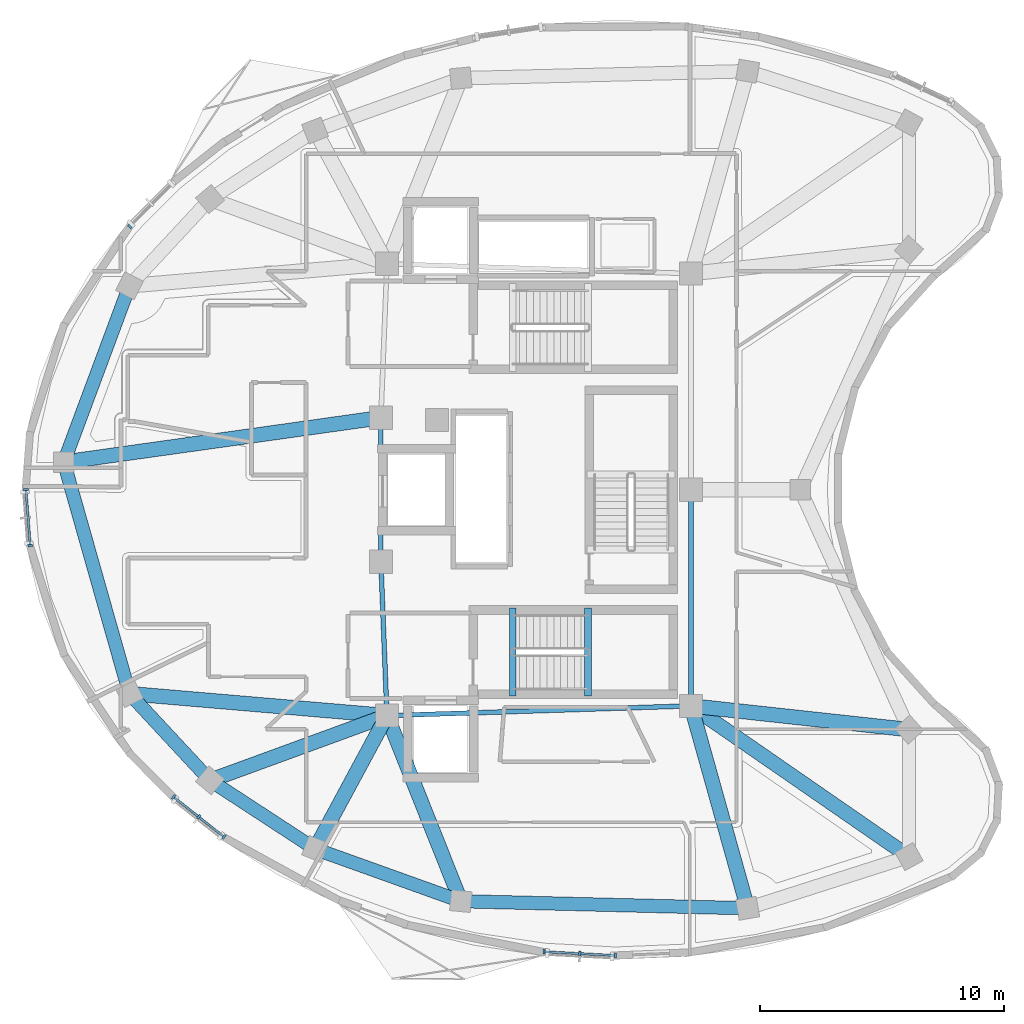
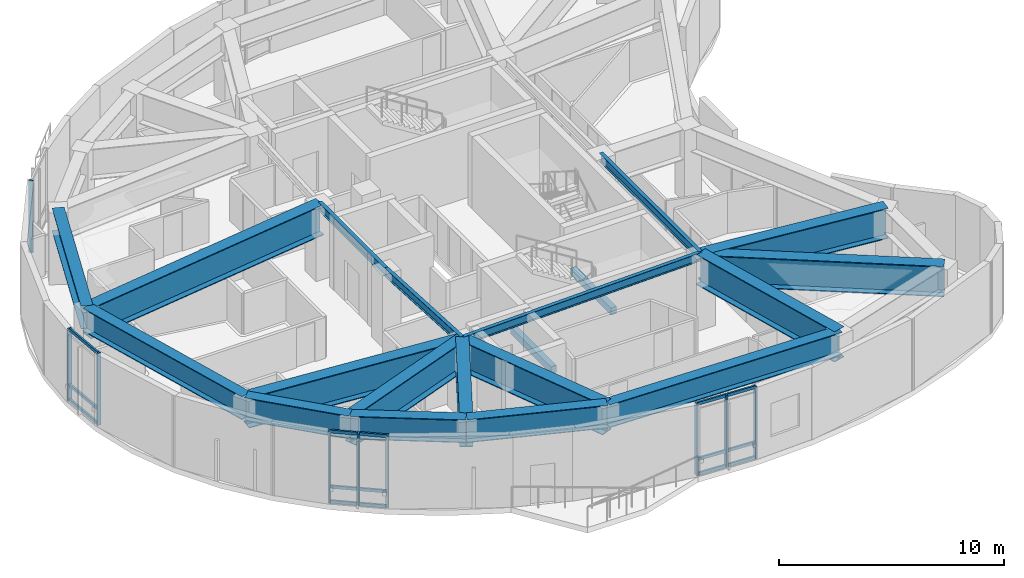
# One storey, part 2 of 12: 24 members, 20 beams, 4 elements without a shape of their own.
"""IFC4 building model written with IfcOpenShell, lengths in metres."""

from ifc_helpers import new_model, si_unit, direction, frame, origin, origin_2d, place, context, subcontext, project, spatial, rectangle, i_section, extrude, material, layer, layer_set, material_profile, profile_set, type_object, element, aggregate, save


model = new_model("IFC4")

# Units and contexts
model_context = context("Model", 3, precision=1e-05, world=origin(), true_north=direction((0.0, 1.0)))
body_context = subcontext(model_context, "Body", "Model", "MODEL_VIEW")
ifc_project = project(units=[si_unit("LENGTHUNIT", "METRE"), si_unit("AREAUNIT", "SQUARE_METRE"), si_unit("VOLUMEUNIT", "CUBIC_METRE"), si_unit("PLANEANGLEUNIT", "RADIAN"), si_unit("MASSUNIT", "GRAM", prefix="KILO")], contexts=[model_context])

# Site, building, storey
site_placement = place(None, origin())
site = spatial("IfcSite", under=ifc_project, at=site_placement, CompositionType="ELEMENT")
building_placement = place(site_placement, origin())
building = spatial("IfcBuilding", under=site, at=building_placement, Name="Korentha Bioscience Tower", CompositionType="ELEMENT")
storey_placement = place(building_placement, frame((0.0, 0.0, 297.60009765625)))
storey = spatial("IfcBuildingStorey", under=building, at=storey_placement, Name="L68", CompositionType="ELEMENT", Elevation=297.60009765625)

# Beams
ifc_material_1 = material(Name="Concrete C50", Category="concrete")
ifc_material_profile_1 = material_profile(ifc_material_1, rectangle(XDim=0.280029296875, YDim=0.3798828125, at=origin_2d()), Name="Concrete C50")
ifc_profile_set_1 = profile_set([ifc_material_profile_1], Name="Concrete C50 (ST-HB380)")
beam_type_1 = type_object("IfcBeamType", Name="Concrete Stair Header Beam RC 280x380", PredefinedType="BEAM", material=ifc_profile_set_1)
for number, where, z_axis, x_axis, name in (
    (1, (30.25, 18.550048828125, -0.190185546875), (0.0, 1.0, 0.0), (-1.0, 0.0, 0.0), "L68 ST-2 Concrete Stair Header Beam"),
    (2, (33.330078125, 18.550048828125, 1.909912109375), (0.0, 1.0, 0.0), (-1.0, 0.0, 0.0), "L68 ST-2 Half-Landing Header Beam 1"),
):
    element("IfcBeam", number, at=place(storey_placement, frame(where, z_axis=z_axis, x_axis=x_axis)), inside=storey, type_object=beam_type_1, Name=name, PredefinedType="BEAM", context=body_context, shape_type="SweptSolid", body=[
        extrude(rectangle(XDim=0.280029296875, YDim=0.3798828125, at=origin_2d()), origin(), (0.0, 0.0, 1.0), 3.599853515625),
    ])
ifc_material_2 = material(Name="Steel S355", Category="steel")
ifc_material_profile_2 = material_profile(ifc_material_2, i_section(OverallWidth=0.550048828125, OverallDepth=1.25, WebThickness=0.02392578125, FlangeThickness=0.0400390625, at=origin_2d()), Name="Steel S355")
ifc_profile_set_2 = profile_set([ifc_material_profile_2], Name="Steel S355 (TG-03)")
beam_type_2 = type_object("IfcBeamType", Name="Crown Step Transfer Girder CVS 1250x510", PredefinedType="USERDEFINED", material=ifc_profile_set_2)
beam_1_placement = place(storey_placement, frame((14.556884765625, 35.35107421875, 3.27490234375), z_axis=(-0.348764777576, -0.937210291195, 0.0), x_axis=(0.937210291195, -0.348764777576, 0.0)))
element("IfcBeam", 3, at=beam_1_placement, inside=storey, type_object=beam_type_2, Name="L68 Perimeter Spandrel Girder 06", ObjectType="TRANSFER_GIRDER", PredefinedType="USERDEFINED", context=body_context, shape_type="SweptSolid", body=[
    extrude(i_section(OverallWidth=0.550048828125, OverallDepth=1.25, WebThickness=0.02392578125, FlangeThickness=0.0400390625, at=origin_2d()), origin(), (0.0, 0.0, 1.0), 7.705810546875),
])
beam_2_placement = place(storey_placement, frame((11.869384765625, 28.129150390625, 3.27490234375), z_axis=(0.272737504726, -0.962088485284, 0.0), x_axis=(0.962088485284, 0.272737504726, 0.0)))
element("IfcBeam", 4, at=beam_2_placement, inside=storey, type_object=beam_type_2, Name="L68 Perimeter Spandrel Girder 07", ObjectType="TRANSFER_GIRDER", PredefinedType="USERDEFINED", context=body_context, shape_type="SweptSolid", body=[
    extrude(i_section(OverallWidth=0.550048828125, OverallDepth=1.25, WebThickness=0.02392578125, FlangeThickness=0.0400390625, at=origin_2d()), origin(), (0.0, 0.0, 1.0), 9.853759765625),
])
beam_3_placement = place(storey_placement, frame((14.556884765625, 18.64892578125, 3.27490234375), z_axis=(0.680655927259, -0.732603240976, 0.0), x_axis=(0.732603240976, 0.680655927259, 0.0)))
element("IfcBeam", 5, at=beam_3_placement, inside=storey, type_object=beam_type_2, Name="L68 Perimeter Spandrel Girder 08", ObjectType="TRANSFER_GIRDER", PredefinedType="USERDEFINED", context=body_context, shape_type="SweptSolid", body=[
    extrude(i_section(OverallWidth=0.550048828125, OverallDepth=1.25, WebThickness=0.02392578125, FlangeThickness=0.0400390625, at=origin_2d()), origin(), (0.0, 0.0, 1.0), 4.845458984375),
])
beam_4_placement = place(storey_placement, frame((17.85498046875, 15.09912109375, 3.27490234375), z_axis=(0.837370389089, -0.546635922234, 0.0), x_axis=(0.546635922234, 0.837370389089, 0.0)))
element("IfcBeam", 6, at=beam_4_placement, inside=storey, type_object=beam_type_2, Name="L68 Perimeter Spandrel Girder 09", ObjectType="TRANSFER_GIRDER", PredefinedType="USERDEFINED", context=body_context, shape_type="SweptSolid", body=[
    extrude(i_section(OverallWidth=0.550048828125, OverallDepth=1.25, WebThickness=0.02392578125, FlangeThickness=0.0400390625, at=origin_2d()), origin(), (0.0, 0.0, 1.0), 5.137451171875),
])
beam_5_placement = place(storey_placement, frame((22.156982421875, 12.290771484375, 3.27490234375), z_axis=(0.941344019681, -0.337448420668, 0.0), x_axis=(0.337448420668, 0.941344019681, 0.0)))
element("IfcBeam", 7, at=beam_5_placement, inside=storey, type_object=beam_type_2, Name="L68 Perimeter Spandrel Girder 10", ObjectType="TRANSFER_GIRDER", PredefinedType="USERDEFINED", context=body_context, shape_type="SweptSolid", body=[
    extrude(i_section(OverallWidth=0.550048828125, OverallDepth=1.25, WebThickness=0.02392578125, FlangeThickness=0.0400390625, at=origin_2d()), origin(), (0.0, 0.0, 1.0), 6.340576171875),
])
beam_6_placement = place(storey_placement, frame((28.125732421875, 10.151123046875, 3.27490234375), z_axis=(0.999696680128, -0.024628189974, 0.0), x_axis=(0.024628189974, 0.999696680128, 0.0)))
element("IfcBeam", 8, at=beam_6_placement, inside=storey, type_object=beam_type_2, Name="L68 Perimeter Spandrel Girder 11", ObjectType="TRANSFER_GIRDER", PredefinedType="USERDEFINED", context=body_context, shape_type="SweptSolid", body=[
    extrude(i_section(OverallWidth=0.550048828125, OverallDepth=1.25, WebThickness=0.02392578125, FlangeThickness=0.0400390625, at=origin_2d()), origin(), (0.0, 0.0, 1.0), 11.7470703125),
])
ifc_material_profile_3 = material_profile(ifc_material_2, i_section(OverallWidth=0.60009765625, OverallDepth=1.64990234375, WebThickness=0.02587890625, FlangeThickness=0.0439453125, at=origin_2d()), Name="Steel S355")
ifc_profile_set_3 = profile_set([ifc_material_profile_3], Name="Steel S355 (TG-04)")
beam_type_3 = type_object("IfcBeamType", Name="Deep Setback Transfer Girder CVS 1650x620", PredefinedType="USERDEFINED", material=ifc_profile_set_3)
beam_7_placement = place(storey_placement, frame((24.85009765625, 29.949951171875, 3.074951171875), z_axis=(-0.990305038065, -0.138909796571, 0.0), x_axis=(0.138909796571, -0.990305038065, 0.0)))
element("IfcBeam", 9, at=beam_7_placement, inside=storey, type_object=beam_type_3, Name="L68 Radial Transfer Girder 07", ObjectType="TRANSFER_GIRDER", PredefinedType="USERDEFINED", context=body_context, shape_type="SweptSolid", body=[
    extrude(i_section(OverallWidth=0.60009765625, OverallDepth=1.64990234375, WebThickness=0.02587890625, FlangeThickness=0.0439453125, at=origin_2d()), origin(), (0.0, 0.0, 1.0), 13.10791015625),
])
beam_8_placement = place(storey_placement, frame((25.10009765625, 17.75, 3.074951171875), z_axis=(-0.996384971169, 0.084952864741, 0.0), x_axis=(-0.084952864741, -0.996384971169, 0.0)))
element("IfcBeam", 10, at=beam_8_placement, inside=storey, type_object=beam_type_3, Name="L68 Radial Transfer Girder 08", ObjectType="TRANSFER_GIRDER", PredefinedType="USERDEFINED", context=body_context, shape_type="SweptSolid", body=[
    extrude(i_section(OverallWidth=0.60009765625, OverallDepth=1.64990234375, WebThickness=0.02587890625, FlangeThickness=0.0439453125, at=origin_2d()), origin(), (0.0, 0.0, 1.0), 10.58154296875),
])
beam_9_placement = place(storey_placement, frame((25.10009765625, 17.75, 3.074951171875), z_axis=(-0.939113387984, -0.343607398798, 0.0), x_axis=(0.343607398798, -0.939113387984, 0.0)))
element("IfcBeam", 11, at=beam_9_placement, inside=storey, type_object=beam_type_3, Name="L68 Radial Transfer Girder 09", ObjectType="TRANSFER_GIRDER", PredefinedType="USERDEFINED", context=body_context, shape_type="SweptSolid", body=[
    extrude(i_section(OverallWidth=0.60009765625, OverallDepth=1.64990234375, WebThickness=0.02587890625, FlangeThickness=0.0439453125, at=origin_2d()), origin(), (0.0, 0.0, 1.0), 7.71484375),
])
beam_10_placement = place(storey_placement, frame((25.10009765625, 17.75, 3.074951171875), z_axis=(-0.474541081143, -0.880233356734, 0.0), x_axis=(0.880233356734, -0.474541081143, 0.0)))
element("IfcBeam", 12, at=beam_10_placement, inside=storey, type_object=beam_type_3, Name="L68 Radial Transfer Girder 10", ObjectType="TRANSFER_GIRDER", PredefinedType="USERDEFINED", context=body_context, shape_type="SweptSolid", body=[
    extrude(i_section(OverallWidth=0.60009765625, OverallDepth=1.64990234375, WebThickness=0.02587890625, FlangeThickness=0.0439453125, at=origin_2d()), origin(), (0.0, 0.0, 1.0), 6.201904296875),
])
beam_11_placement = place(storey_placement, frame((25.10009765625, 17.75, 3.074951171875), z_axis=(0.369923475736, -0.929062227248, 0.0), x_axis=(0.929062227248, 0.369923475736, 0.0)))
element("IfcBeam", 13, at=beam_11_placement, inside=storey, type_object=beam_type_3, Name="L68 Radial Transfer Girder 11", ObjectType="TRANSFER_GIRDER", PredefinedType="USERDEFINED", context=body_context, shape_type="SweptSolid", body=[
    extrude(i_section(OverallWidth=0.60009765625, OverallDepth=1.64990234375, WebThickness=0.02587890625, FlangeThickness=0.0439453125, at=origin_2d()), origin(), (0.0, 0.0, 1.0), 8.17919921875),
])
beam_12_placement = place(storey_placement, frame((37.550048828125, 18.14990234375, 3.074951171875), z_axis=(0.269460517512, -0.963011437888, 0.0), x_axis=(0.963011437888, 0.269460517512, 0.0)))
element("IfcBeam", 14, at=beam_12_placement, inside=storey, type_object=beam_type_3, Name="L68 Radial Transfer Girder 12", ObjectType="TRANSFER_GIRDER", PredefinedType="USERDEFINED", context=body_context, shape_type="SweptSolid", body=[
    extrude(i_section(OverallWidth=0.60009765625, OverallDepth=1.64990234375, WebThickness=0.02587890625, FlangeThickness=0.0439453125, at=origin_2d()), origin(), (0.0, 0.0, 1.0), 8.6064453125),
])
beam_13_placement = place(storey_placement, frame((37.550048828125, 18.14990234375, 3.074951171875), z_axis=(0.822499007629, -0.56876654477, 0.0), x_axis=(0.56876654477, 0.822499007629, 0.0)))
element("IfcBeam", 15, at=beam_13_placement, inside=storey, type_object=beam_type_3, Name="L68 Radial Transfer Girder 13", ObjectType="TRANSFER_GIRDER", PredefinedType="USERDEFINED", context=body_context, shape_type="SweptSolid", body=[
    extrude(i_section(OverallWidth=0.60009765625, OverallDepth=1.64990234375, WebThickness=0.02587890625, FlangeThickness=0.0439453125, at=origin_2d()), origin(), (0.0, 0.0, 1.0), 10.8525390625),
])
beam_14_placement = place(storey_placement, frame((37.550048828125, 18.14990234375, 3.074951171875), z_axis=(0.994116294337, -0.108318019432, 0.0), x_axis=(0.108318019432, 0.994116294337, 0.0)))
element("IfcBeam", 16, at=beam_14_placement, inside=storey, type_object=beam_type_3, Name="L68 Radial Transfer Girder 14", ObjectType="TRANSFER_GIRDER", PredefinedType="USERDEFINED", context=body_context, shape_type="SweptSolid", body=[
    extrude(i_section(OverallWidth=0.60009765625, OverallDepth=1.64990234375, WebThickness=0.02587890625, FlangeThickness=0.0439453125, at=origin_2d()), origin(), (0.0, 0.0, 1.0), 8.977294921875),
])
ifc_material_profile_4 = material_profile(ifc_material_2, i_section(OverallWidth=0.18994140625, OverallDepth=0.45703125, WebThickness=0.009033203125, FlangeThickness=0.014404296875, at=origin_2d()), Name="Steel S355")
ifc_profile_set_4 = profile_set([ifc_material_profile_4], Name="Steel S355 (MB-460)")
beam_type_4 = type_object("IfcBeamType", Name="Mid-Ring Tie Girder W460x74", PredefinedType="BEAM", material=ifc_profile_set_4)
beam_15_placement = place(storey_placement, frame((24.85009765625, 29.949951171875, 3.67138671875), z_axis=(0.0, -1.0, 0.0), x_axis=(1.0, 0.0, 0.0)))
element("IfcBeam", 17, at=beam_15_placement, inside=storey, type_object=beam_type_4, Name="L68 Core Ring Tie Girder 03", PredefinedType="BEAM", context=body_context, shape_type="SweptSolid", body=[
    extrude(i_section(OverallWidth=0.18994140625, OverallDepth=0.45703125, WebThickness=0.009033203125, FlangeThickness=0.014404296875, at=origin_2d()), origin(), (0.0, 0.0, 1.0), 5.89990234375),
])
beam_16_placement = place(storey_placement, frame((24.85009765625, 24.050048828125, 3.67138671875), z_axis=(0.039651025576, -0.999213588864, 0.0), x_axis=(0.999213588864, 0.039651025576, 0.0)))
element("IfcBeam", 18, at=beam_16_placement, inside=storey, type_object=beam_type_4, Name="L68 Core Ring Tie Girder 04", PredefinedType="BEAM", context=body_context, shape_type="SweptSolid", body=[
    extrude(i_section(OverallWidth=0.18994140625, OverallDepth=0.45703125, WebThickness=0.009033203125, FlangeThickness=0.014404296875, at=origin_2d()), origin(), (0.0, 0.0, 1.0), 6.304931640625),
])
beam_17_placement = place(storey_placement, frame((25.10009765625, 17.75, 3.67138671875), z_axis=(0.999484526071, 0.032104238723, 0.0), x_axis=(-0.032104238723, 0.999484526071, 0.0)))
element("IfcBeam", 19, at=beam_17_placement, inside=storey, type_object=beam_type_4, Name="L68 Core Ring Tie Girder 05", PredefinedType="BEAM", context=body_context, shape_type="SweptSolid", body=[
    extrude(i_section(OverallWidth=0.18994140625, OverallDepth=0.45703125, WebThickness=0.009033203125, FlangeThickness=0.014404296875, at=origin_2d()), origin(), (0.0, 0.0, 1.0), 12.456298828125),
])
beam_18_placement = place(storey_placement, frame((37.550048828125, 18.14990234375, 3.67138671875), z_axis=(0.0, 1.0, 0.0), x_axis=(-1.0, 0.0, 0.0)))
element("IfcBeam", 20, at=beam_18_placement, inside=storey, type_object=beam_type_4, Name="L68 Core Ring Tie Girder 06", PredefinedType="BEAM", context=body_context, shape_type="SweptSolid", body=[
    extrude(i_section(OverallWidth=0.18994140625, OverallDepth=0.45703125, WebThickness=0.009033203125, FlangeThickness=0.014404296875, at=origin_2d()), origin(), (0.0, 0.0, 1.0), 8.85009765625),
])

# Curtain wall, member
ifc_material_3 = material(Name="Thermally Broken Aluminium Frame", Category="aluminium")
ifc_layer = layer(ifc_material_3, 0.219970703125, Name="Thermally Broken Aluminium Frame")
ifc_layer_set = layer_set([ifc_layer], Name="Thermally Broken Aluminium Frame (CW-T2)")
curtain_wall_type = type_object("IfcCurtainWallType", Name="Solar-Screened Lab Unitised Curtain Wall CW-T2", PredefinedType="USERDEFINED", material=ifc_layer_set)
curtain_wall_1_placement = place(storey_placement, origin())
curtain_wall_1 = element("IfcCurtainWall", 21, at=curtain_wall_1_placement, inside=storey, type_object=curtain_wall_type, Name="L68 Curtain Wall 13", ObjectType="UNITISED", PredefinedType="USERDEFINED")
ifc_material_4 = material(Name="Anodised Aluminium 6063-T6", Category="aluminium")
ifc_material_profile_5 = material_profile(ifc_material_4, rectangle(XDim=0.090087890625, YDim=0.199951171875, at=origin_2d()), Name="Anodised Aluminium 6063-T6")
ifc_profile_set_5 = profile_set([ifc_material_profile_5], Name="Anodised Aluminium 6063-T6 (CW-MUL)")
member_type_1 = type_object("IfcMemberType", Name="Mullion RECT 90x200", PredefinedType="MULLION", material=ifc_profile_set_5)
member_1_placement = place(storey_placement, frame((14.568115234375, 37.77001953125, 0.0), z_axis=(0.0, 0.0, 1.0), x_axis=(-0.703813123431, -0.710385168262, 0.0)))
member_1 = element("IfcMember", 22, at=member_1_placement, type_object=member_type_1, Name="CW-L68-13 Mullion 2", PredefinedType="MULLION", context=body_context, shape_type="SweptSolid", body=[
    extrude(rectangle(XDim=0.090087890625, YDim=0.199951171875, at=origin_2d()), origin(), (0.0, 0.0, 1.0), 3.89990234375),
])
aggregate(curtain_wall_1, [member_1])

# Curtain wall, members
curtain_wall_2_placement = place(storey_placement, origin())
curtain_wall_2 = element("IfcCurtainWall", 23, at=curtain_wall_2_placement, inside=storey, type_object=curtain_wall_type, Name="L68 Curtain Wall 19", ObjectType="UNITISED", PredefinedType="USERDEFINED")
member_2_placement = place(storey_placement, frame((10.31787109375, 27.007080078125, 0.0), z_axis=(0.0, 0.0, 1.0), x_axis=(0.076447323916, -0.997073621487, 0.0)))
member_2 = element("IfcMember", 24, at=member_2_placement, type_object=member_type_1, Name="CW-L68-19 Mullion 1", PredefinedType="MULLION", context=body_context, shape_type="SweptSolid", body=[
    extrude(rectangle(XDim=0.090087890625, YDim=0.199951171875, at=origin_2d()), origin(), (0.0, 0.0, 1.0), 3.89990234375),
])
member_3_placement = place(storey_placement, frame((10.493896484375, 24.710205078125, 0.0), z_axis=(0.0, 0.0, 1.0), x_axis=(0.076447323916, -0.997073621487, 0.0)))
member_3 = element("IfcMember", 25, at=member_3_placement, type_object=member_type_1, Name="CW-L68-19 Mullion 2", PredefinedType="MULLION", context=body_context, shape_type="SweptSolid", body=[
    extrude(rectangle(XDim=0.090087890625, YDim=0.199951171875, at=origin_2d()), origin(), (0.0, 0.0, 1.0), 3.89990234375),
])

curtain_wall_3_placement = place(storey_placement, origin())
curtain_wall_3 = element("IfcCurtainWall", 26, at=curtain_wall_3_placement, inside=storey, type_object=curtain_wall_type, Name="L68 Curtain Wall 25", ObjectType="UNITISED", PredefinedType="USERDEFINED")
member_4_placement = place(storey_placement, frame((16.361083984375, 14.41943359375, 0.0), z_axis=(0.0, 0.0, 1.0), x_axis=(0.78407560827, -0.620665320858, 0.0)))
member_4 = element("IfcMember", 27, at=member_4_placement, type_object=member_type_1, Name="CW-L68-25 Mullion 1", PredefinedType="MULLION", context=body_context, shape_type="SweptSolid", body=[
    extrude(rectangle(XDim=0.090087890625, YDim=0.199951171875, at=origin_2d()), origin(), (0.0, 0.0, 1.0), 3.89990234375),
])
member_5_placement = place(storey_placement, frame((17.3935546875, 13.602294921875, 0.0), z_axis=(0.0, 0.0, 1.0), x_axis=(0.78407560827, -0.620665320858, 0.0)))
member_5 = element("IfcMember", 28, at=member_5_placement, type_object=member_type_1, Name="CW-L68-25 Mullion 2", PredefinedType="MULLION", context=body_context, shape_type="SweptSolid", body=[
    extrude(rectangle(XDim=0.090087890625, YDim=0.199951171875, at=origin_2d()), origin(), (0.0, 0.0, 1.0), 3.89990234375),
])
member_6_placement = place(storey_placement, frame((18.42578125, 12.784912109375, 0.0), z_axis=(0.0, 0.0, 1.0), x_axis=(0.78407560827, -0.620665320858, 0.0)))
member_6 = element("IfcMember", 29, at=member_6_placement, type_object=member_type_1, Name="CW-L68-25 Mullion 3", PredefinedType="MULLION", context=body_context, shape_type="SweptSolid", body=[
    extrude(rectangle(XDim=0.090087890625, YDim=0.199951171875, at=origin_2d()), origin(), (0.0, 0.0, 1.0), 3.89990234375),
])

curtain_wall_4_placement = place(storey_placement, origin())
curtain_wall_4 = element("IfcCurtainWall", 30, at=curtain_wall_4_placement, inside=storey, type_object=curtain_wall_type, Name="L68 Curtain Wall 31", ObjectType="UNITISED", PredefinedType="USERDEFINED")
member_7_placement = place(storey_placement, frame((31.531982421875, 8.082763671875, 0.0), z_axis=(0.0, 0.0, 1.0), x_axis=(0.998579324855, -0.053285382345, 0.0)))
member_7 = element("IfcMember", 31, at=member_7_placement, type_object=member_type_1, Name="CW-L68-31 Mullion 1", PredefinedType="MULLION", context=body_context, shape_type="SweptSolid", body=[
    extrude(rectangle(XDim=0.090087890625, YDim=0.199951171875, at=origin_2d()), origin(), (0.0, 0.0, 1.0), 3.89990234375),
])
member_8_placement = place(storey_placement, frame((32.994873046875, 8.004638671875, 0.0), z_axis=(0.0, 0.0, 1.0), x_axis=(0.998579324855, -0.053285382345, 0.0)))
member_8 = element("IfcMember", 32, at=member_8_placement, type_object=member_type_1, Name="CW-L68-31 Mullion 2", PredefinedType="MULLION", context=body_context, shape_type="SweptSolid", body=[
    extrude(rectangle(XDim=0.090087890625, YDim=0.199951171875, at=origin_2d()), origin(), (0.0, 0.0, 1.0), 3.89990234375),
])
member_9_placement = place(storey_placement, frame((34.45751953125, 7.9267578125, 0.0), z_axis=(0.0, 0.0, 1.0), x_axis=(0.998579324855, -0.053285382345, 0.0)))
member_9 = element("IfcMember", 33, at=member_9_placement, type_object=member_type_1, Name="CW-L68-31 Mullion 3", PredefinedType="MULLION", context=body_context, shape_type="SweptSolid", body=[
    extrude(rectangle(XDim=0.090087890625, YDim=0.199951171875, at=origin_2d()), origin(), (0.0, 0.0, 1.0), 3.89990234375),
])

# Member
ifc_material_profile_6 = material_profile(ifc_material_4, rectangle(XDim=0.090087890625, YDim=0.159912109375, at=origin_2d()), Name="Anodised Aluminium 6063-T6")
ifc_profile_set_6 = profile_set([ifc_material_profile_6], Name="Anodised Aluminium 6063-T6 (CW-TRN)")
member_type_2 = type_object("IfcMemberType", Name="Transom RECT 90x160", PredefinedType="USERDEFINED", material=ifc_profile_set_6)
member_10_placement = place(storey_placement, frame((10.3212890625, 26.96240234375, 0.044921875), z_axis=(0.076418222259, -0.997075852334, 0.0), x_axis=(0.997075852334, 0.076418222259, 0.0)))
member_10 = element("IfcMember", 34, at=member_10_placement, type_object=member_type_2, Name="CW-L68-19 Bay 1 Transom 1", ObjectType="TRANSOM", PredefinedType="USERDEFINED", context=body_context, shape_type="SweptSolid", body=[
    extrude(rectangle(XDim=0.090087890625, YDim=0.159912109375, at=origin_2d()), origin(), (0.0, 0.0, 1.0), 2.214111328125),
])

member_11_placement = place(storey_placement, frame((10.3212890625, 26.96240234375, 0.849853515625), z_axis=(0.076418222259, -0.997075852334, 0.0), x_axis=(0.997075852334, 0.076418222259, 0.0)))
member_11 = element("IfcMember", 35, at=member_11_placement, type_object=member_type_2, Name="CW-L68-19 Bay 1 Transom 2", ObjectType="TRANSOM", PredefinedType="USERDEFINED", context=body_context, shape_type="SweptSolid", body=[
    extrude(rectangle(XDim=0.090087890625, YDim=0.159912109375, at=origin_2d()), origin(), (0.0, 0.0, 1.0), 2.214111328125),
])

member_12_placement = place(storey_placement, frame((10.3212890625, 26.96240234375, 3.85498046875), z_axis=(0.076418222259, -0.997075852334, 0.0), x_axis=(0.997075852334, 0.076418222259, 0.0)))
member_12 = element("IfcMember", 36, at=member_12_placement, type_object=member_type_2, Name="CW-L68-19 Bay 1 Transom 3", ObjectType="TRANSOM", PredefinedType="USERDEFINED", context=body_context, shape_type="SweptSolid", body=[
    extrude(rectangle(XDim=0.090087890625, YDim=0.159912109375, at=origin_2d()), origin(), (0.0, 0.0, 1.0), 2.214111328125),
])

aggregate(curtain_wall_2, [member_2, member_3, member_10, member_11, member_12])

member_13_placement = place(storey_placement, frame((16.396484375, 14.391357421875, 0.044921875), z_axis=(0.784082150334, -0.620657056294, 0.0), x_axis=(0.620657056294, 0.784082150334, 0.0)))
member_13 = element("IfcMember", 37, at=member_13_placement, type_object=member_type_2, Name="CW-L68-25 Bay 1 Transom 1", ObjectType="TRANSOM", PredefinedType="USERDEFINED", context=body_context, shape_type="SweptSolid", body=[
    extrude(rectangle(XDim=0.090087890625, YDim=0.159912109375, at=origin_2d()), origin(), (0.0, 0.0, 1.0), 1.2265625),
])

member_14_placement = place(storey_placement, frame((16.396484375, 14.391357421875, 0.849853515625), z_axis=(0.784082150334, -0.620657056294, 0.0), x_axis=(0.620657056294, 0.784082150334, 0.0)))
member_14 = element("IfcMember", 38, at=member_14_placement, type_object=member_type_2, Name="CW-L68-25 Bay 1 Transom 2", ObjectType="TRANSOM", PredefinedType="USERDEFINED", context=body_context, shape_type="SweptSolid", body=[
    extrude(rectangle(XDim=0.090087890625, YDim=0.159912109375, at=origin_2d()), origin(), (0.0, 0.0, 1.0), 1.2265625),
])

member_15_placement = place(storey_placement, frame((16.396484375, 14.391357421875, 3.85498046875), z_axis=(0.784082150334, -0.620657056294, 0.0), x_axis=(0.620657056294, 0.784082150334, 0.0)))
member_15 = element("IfcMember", 39, at=member_15_placement, type_object=member_type_2, Name="CW-L68-25 Bay 1 Transom 3", ObjectType="TRANSOM", PredefinedType="USERDEFINED", context=body_context, shape_type="SweptSolid", body=[
    extrude(rectangle(XDim=0.090087890625, YDim=0.159912109375, at=origin_2d()), origin(), (0.0, 0.0, 1.0), 1.2265625),
])

member_16_placement = place(storey_placement, frame((17.4287109375, 13.57421875, 0.044921875), z_axis=(0.784082150334, -0.620657056294, 0.0), x_axis=(0.620657056294, 0.784082150334, 0.0)))
member_16 = element("IfcMember", 40, at=member_16_placement, type_object=member_type_2, Name="CW-L68-25 Bay 2 Transom 1", ObjectType="TRANSOM", PredefinedType="USERDEFINED", context=body_context, shape_type="SweptSolid", body=[
    extrude(rectangle(XDim=0.090087890625, YDim=0.159912109375, at=origin_2d()), origin(), (0.0, 0.0, 1.0), 1.2265625),
])

member_17_placement = place(storey_placement, frame((17.4287109375, 13.57421875, 0.849853515625), z_axis=(0.784082150334, -0.620657056294, 0.0), x_axis=(0.620657056294, 0.784082150334, 0.0)))
member_17 = element("IfcMember", 41, at=member_17_placement, type_object=member_type_2, Name="CW-L68-25 Bay 2 Transom 2", ObjectType="TRANSOM", PredefinedType="USERDEFINED", context=body_context, shape_type="SweptSolid", body=[
    extrude(rectangle(XDim=0.090087890625, YDim=0.159912109375, at=origin_2d()), origin(), (0.0, 0.0, 1.0), 1.2265625),
])

member_18_placement = place(storey_placement, frame((17.4287109375, 13.57421875, 3.85498046875), z_axis=(0.784082150334, -0.620657056294, 0.0), x_axis=(0.620657056294, 0.784082150334, 0.0)))
member_18 = element("IfcMember", 42, at=member_18_placement, type_object=member_type_2, Name="CW-L68-25 Bay 2 Transom 3", ObjectType="TRANSOM", PredefinedType="USERDEFINED", context=body_context, shape_type="SweptSolid", body=[
    extrude(rectangle(XDim=0.090087890625, YDim=0.159912109375, at=origin_2d()), origin(), (0.0, 0.0, 1.0), 1.2265625),
])

aggregate(curtain_wall_3, [member_4, member_5, member_6, member_13, member_14, member_15, member_16, member_17, member_18])

member_19_placement = place(storey_placement, frame((31.5771484375, 8.080322265625, 0.044921875), z_axis=(0.998579797084, -0.053276531945, 0.0), x_axis=(0.053276531945, 0.998579797084, 0.0)))
member_19 = element("IfcMember", 43, at=member_19_placement, type_object=member_type_2, Name="CW-L68-31 Bay 1 Transom 1", ObjectType="TRANSOM", PredefinedType="USERDEFINED", context=body_context, shape_type="SweptSolid", body=[
    extrude(rectangle(XDim=0.090087890625, YDim=0.159912109375, at=origin_2d()), origin(), (0.0, 0.0, 1.0), 1.374755859375),
])

member_20_placement = place(storey_placement, frame((31.5771484375, 8.080322265625, 0.849853515625), z_axis=(0.998579797084, -0.053276531945, 0.0), x_axis=(0.053276531945, 0.998579797084, 0.0)))
member_20 = element("IfcMember", 44, at=member_20_placement, type_object=member_type_2, Name="CW-L68-31 Bay 1 Transom 2", ObjectType="TRANSOM", PredefinedType="USERDEFINED", context=body_context, shape_type="SweptSolid", body=[
    extrude(rectangle(XDim=0.090087890625, YDim=0.159912109375, at=origin_2d()), origin(), (0.0, 0.0, 1.0), 1.374755859375),
])

member_21_placement = place(storey_placement, frame((31.5771484375, 8.080322265625, 3.85498046875), z_axis=(0.998579797084, -0.053276531945, 0.0), x_axis=(0.053276531945, 0.998579797084, 0.0)))
member_21 = element("IfcMember", 45, at=member_21_placement, type_object=member_type_2, Name="CW-L68-31 Bay 1 Transom 3", ObjectType="TRANSOM", PredefinedType="USERDEFINED", context=body_context, shape_type="SweptSolid", body=[
    extrude(rectangle(XDim=0.090087890625, YDim=0.159912109375, at=origin_2d()), origin(), (0.0, 0.0, 1.0), 1.374755859375),
])

member_22_placement = place(storey_placement, frame((33.039794921875, 8.00244140625, 0.044921875), z_axis=(0.998579797084, -0.053276531945, 0.0), x_axis=(0.053276531945, 0.998579797084, 0.0)))
member_22 = element("IfcMember", 46, at=member_22_placement, type_object=member_type_2, Name="CW-L68-31 Bay 2 Transom 1", ObjectType="TRANSOM", PredefinedType="USERDEFINED", context=body_context, shape_type="SweptSolid", body=[
    extrude(rectangle(XDim=0.090087890625, YDim=0.159912109375, at=origin_2d()), origin(), (0.0, 0.0, 1.0), 1.374755859375),
])

member_23_placement = place(storey_placement, frame((33.039794921875, 8.00244140625, 0.849853515625), z_axis=(0.998579797084, -0.053276531945, 0.0), x_axis=(0.053276531945, 0.998579797084, 0.0)))
member_23 = element("IfcMember", 47, at=member_23_placement, type_object=member_type_2, Name="CW-L68-31 Bay 2 Transom 2", ObjectType="TRANSOM", PredefinedType="USERDEFINED", context=body_context, shape_type="SweptSolid", body=[
    extrude(rectangle(XDim=0.090087890625, YDim=0.159912109375, at=origin_2d()), origin(), (0.0, 0.0, 1.0), 1.374755859375),
])

member_24_placement = place(storey_placement, frame((33.039794921875, 8.00244140625, 3.85498046875), z_axis=(0.998579797084, -0.053276531945, 0.0), x_axis=(0.053276531945, 0.998579797084, 0.0)))
member_24 = element("IfcMember", 48, at=member_24_placement, type_object=member_type_2, Name="CW-L68-31 Bay 2 Transom 3", ObjectType="TRANSOM", PredefinedType="USERDEFINED", context=body_context, shape_type="SweptSolid", body=[
    extrude(rectangle(XDim=0.090087890625, YDim=0.159912109375, at=origin_2d()), origin(), (0.0, 0.0, 1.0), 1.374755859375),
])

aggregate(curtain_wall_4, [member_7, member_8, member_9, member_19, member_20, member_21, member_22, member_23, member_24])

save(model, "model.ifc")
